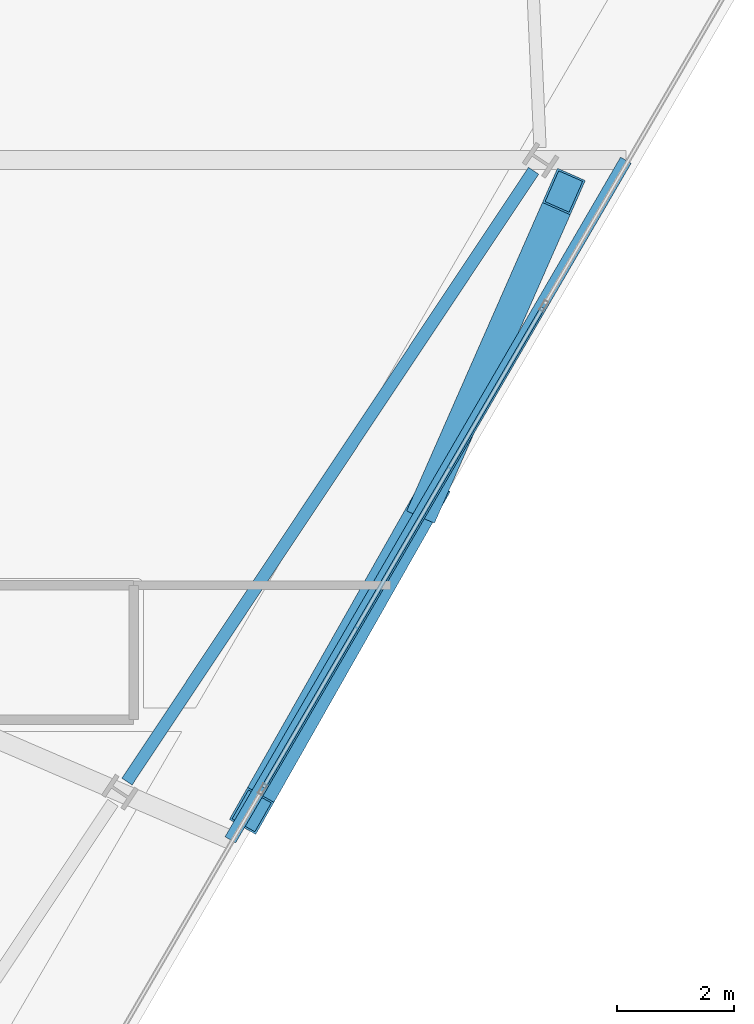
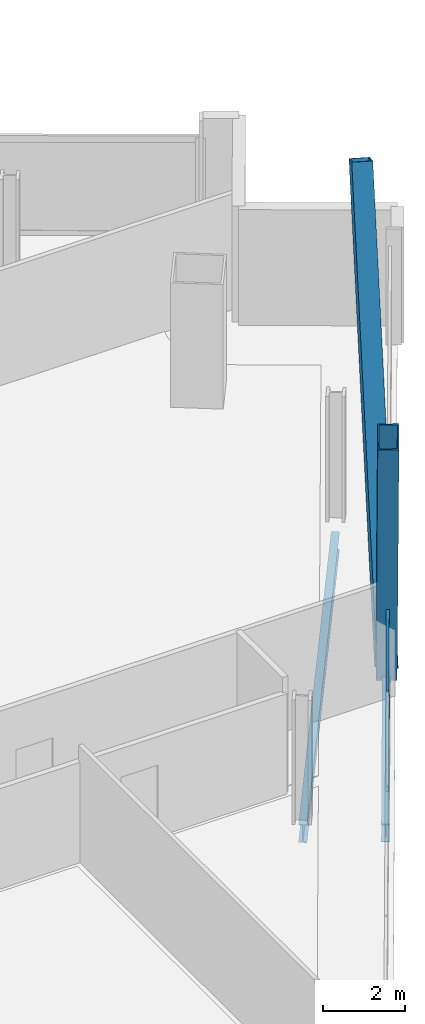
# One storey, part 10 of 29: 4 members, 2 beams, 1 element without a shape of its own.
"""IFC4 building model written with IfcOpenShell, lengths in metres."""

from ifc_helpers import new_model, si_unit, direction, frame, origin, origin_2d, place, context, subcontext, project, spatial, hollow_rectangle, i_section, extrude, material, material_profile, profile_set, type_object, element, aggregate, save


model = new_model("IFC4")

# Units and contexts
model_context = context("Model", 3, precision=1e-05, world=origin(), true_north=direction((0.0, 1.0)))
body_context = subcontext(model_context, "Body", "Model", "MODEL_VIEW")
ifc_project = project(units=[si_unit("LENGTHUNIT", "METRE"), si_unit("AREAUNIT", "SQUARE_METRE"), si_unit("VOLUMEUNIT", "CUBIC_METRE"), si_unit("PLANEANGLEUNIT", "RADIAN"), si_unit("MASSUNIT", "GRAM", prefix="KILO")], contexts=[model_context])

# Site, building, storey
site_placement = place(None, origin())
site = spatial("IfcSite", under=ifc_project, at=site_placement, CompositionType="ELEMENT")
building_placement = place(site_placement, origin())
building = spatial("IfcBuilding", under=site, at=building_placement, Name="Haldenkirk Collegiate Tower", CompositionType="ELEMENT")
storey_placement = place(building_placement, frame((0.0, 0.0, 228.449951171875)))
storey = spatial("IfcBuildingStorey", under=building, at=storey_placement, Name="L57", CompositionType="ELEMENT", Elevation=228.449951171875)

# Beams
ifc_material_1 = material(Name="Steel ASTM A992 Grade 50", Category="steel")
ifc_material_profile_1 = material_profile(ifc_material_1, i_section(OverallWidth=0.2099609375, OverallDepth=0.537109375, WebThickness=0.010986328125, FlangeThickness=0.017333984375, at=origin_2d()), Name="W21X68")
ifc_profile_set_1 = profile_set([ifc_material_profile_1], Name="Steel ASTM A992 Grade 50")
beam_type = type_object("IfcBeamType", Name="BM-SPANDREL-W21X68", PredefinedType="SPANDREL", material=ifc_profile_set_1)
beam_1_placement = place(storey_placement, frame((53.6845703125, 14.48876953125, -0.54833984375), z_axis=(0.554125989098, 0.832432813028, 0.0), x_axis=(-0.832432813028, 0.554125989098, 0.0)))
element("IfcBeam", 1, at=beam_1_placement, inside=storey, type_object=beam_type, Name="L57 perimeter spandrel beam 03", PredefinedType="SPANDREL", context=body_context, shape_type="SweptSolid", body=[
    extrude(i_section(OverallWidth=0.2099609375, OverallDepth=0.537109375, WebThickness=0.010986328125, FlangeThickness=0.017333984375, at=origin_2d()), origin(), (0.0, 0.0, 1.0), 12.56201171875),
])
beam_2_placement = place(storey_placement, frame((55.454345703125, 13.493408203125, -0.54833984375), z_axis=(0.503028343623, 0.864269914733, 0.0), x_axis=(-0.864269914733, 0.503028343623, 0.0)))
element("IfcBeam", 2, at=beam_2_placement, inside=storey, type_object=beam_type, Name="L57 outer facade edge beam 1", PredefinedType="SPANDREL", context=body_context, shape_type="SweptSolid", body=[
    extrude(i_section(OverallWidth=0.2099609375, OverallDepth=0.537109375, WebThickness=0.010986328125, FlangeThickness=0.017333984375, at=origin_2d()), origin(), (0.0, 0.0, 1.0), 13.4599609375),
])

# Curtain wall, members
ifc_material_2 = material(Name="Anodised architectural bronze aluminium", Category="aluminium")
curtain_wall_type = type_object("IfcCurtainWallType", Name="CW-SYS2-CONCAVE", PredefinedType="USERDEFINED", material=ifc_material_2)
curtain_wall_placement = place(storey_placement, origin())
curtain_wall = element("IfcCurtainWall", 3, at=curtain_wall_placement, inside=storey, type_object=curtain_wall_type, Name="L57 South concave recessed bronze-anodised curtain wall", ObjectType="UNITISED CURTAIN WALL", PredefinedType="USERDEFINED")
ifc_material_profile_2 = material_profile(ifc_material_2, hollow_rectangle(XDim=0.074951171875, YDim=0.159912109375, WallThickness=0.0048828125, at=origin_2d()), Name="CW-TRN-02")
ifc_profile_set_2 = profile_set([ifc_material_profile_2], Name="Anodised architectural bronze aluminium")
member_type_1 = type_object("IfcMemberType", Name="CW-TRN-02", PredefinedType="USERDEFINED", material=ifc_profile_set_2)
member_1_placement = place(storey_placement, frame((60.80126953125, 22.6005859375, 0.03759765625), z_axis=(-0.5030255248, -0.864271555357, 0.0), x_axis=(0.864271555357, -0.5030255248, 0.0)))
member_1 = element("IfcMember", 4, at=member_1_placement, type_object=member_type_1, Name="CW-02 transom 2.1", ObjectType="TRANSOM", PredefinedType="USERDEFINED", context=body_context, shape_type="SweptSolid", body=[
    extrude(hollow_rectangle(XDim=0.074951171875, YDim=0.159912109375, WallThickness=0.0048828125, at=origin_2d()), origin(), (0.0, 0.0, 1.0), 9.500244140625),
])
member_2_placement = place(storey_placement, frame((60.80126953125, 22.6005859375, 2.890625), z_axis=(-0.5030255248, -0.864271555357, 0.0), x_axis=(0.864271555357, -0.5030255248, 0.0)))
member_2 = element("IfcMember", 5, at=member_2_placement, type_object=member_type_1, Name="CW-02 transom 2.2", ObjectType="TRANSOM", PredefinedType="USERDEFINED", context=body_context, shape_type="SweptSolid", body=[
    extrude(hollow_rectangle(XDim=0.074951171875, YDim=0.159912109375, WallThickness=0.0048828125, at=origin_2d()), origin(), (0.0, 0.0, 1.0), 9.500244140625),
])
aggregate(curtain_wall, [member_1, member_2])

# Members
ifc_material_3 = material(Name="Steel ASTM A572 Grade 50", Category="steel")
ifc_material_profile_3 = material_profile(ifc_material_3, hollow_rectangle(XDim=0.52001953125, YDim=0.719970703125, WallThickness=0.035888671875, at=origin_2d()), Name="BOX720X520X36")
ifc_profile_set_3 = profile_set([ifc_material_profile_3], Name="Steel ASTM A572 Grade 50")
member_type_2 = type_object("IfcMemberType", Name="MBR-MEGABRACE-BOX720X520X36", PredefinedType="BRACE", material=ifc_profile_set_3)
member_3_placement = place(storey_placement, frame((58.839599609375, 19.31005859375, -0.2900390625), z_axis=(-0.23695301757, -0.417569832661, 0.877205051465), x_axis=(0.869727110305, -0.493532930615, 0.0)))
element("IfcMember", 6, at=member_3_placement, inside=storey, type_object=member_type_2, Name="Perimeter Mega Brace Z4 L57-L59 SL", PredefinedType="BRACE", context=body_context, shape_type="SweptSolid", body=[
    extrude(hollow_rectangle(XDim=0.52001953125, YDim=0.719970703125, WallThickness=0.035888671875, at=origin_2d()), origin(), (0.0, 0.0, 1.0), 12.7451171875),
])
member_4_placement = place(storey_placement, frame((58.839599609375, 19.31005859375, -0.2900390625), z_axis=(0.184738511022, 0.419736764014, 0.888646572874), x_axis=(-0.9152713508, 0.40283787608, 0.0)))
element("IfcMember", 7, at=member_4_placement, inside=storey, type_object=member_type_2, Name="Perimeter Mega Brace Z4 L57-L59 SR", PredefinedType="BRACE", context=body_context, shape_type="SweptSolid", body=[
    extrude(hollow_rectangle(XDim=0.52001953125, YDim=0.719970703125, WallThickness=0.035888671875, at=origin_2d()), origin(), (0.0, 0.0, 1.0), 12.5810546875),
])

save(model, "model.ifc")
